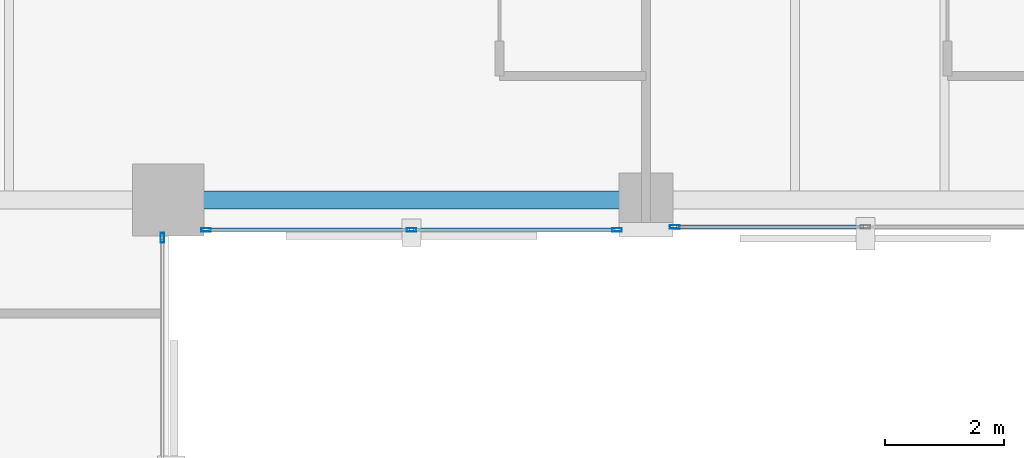
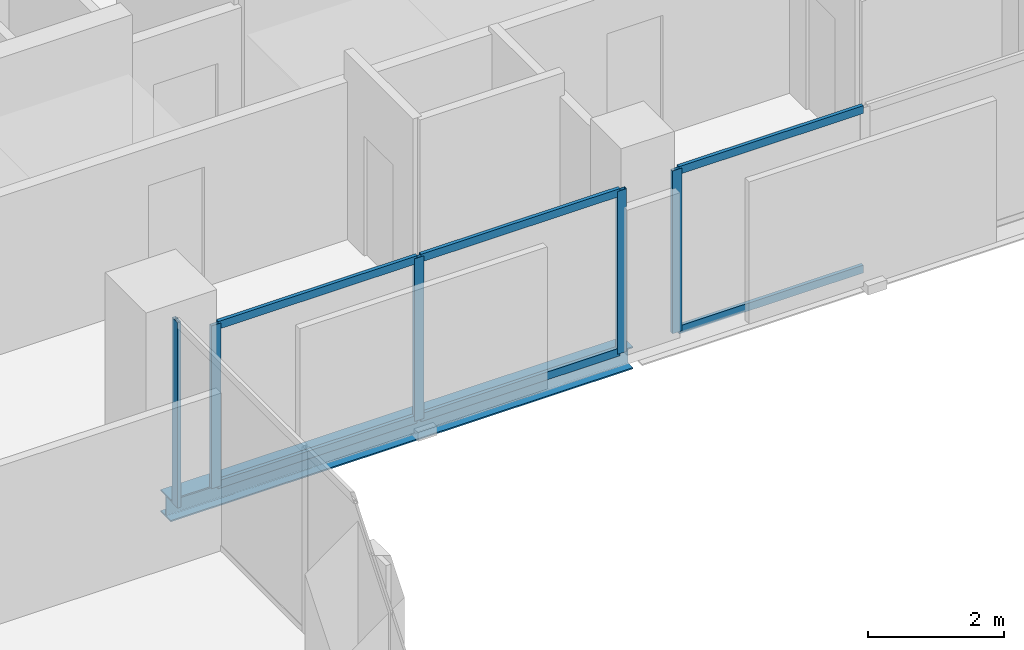
# One storey, part 13 of 35: 11 members, 1 beam, 3 elements without a shape of their own.
"""IFC4 building model written with IfcOpenShell, lengths in metres."""

from ifc_helpers import new_model, si_unit, direction, frame, origin, origin_2d, place, context, subcontext, project, spatial, hollow_rectangle, i_section, extrude, material, layer, layer_set, material_profile, profile_set, type_object, element, aggregate, save


model = new_model("IFC4")

# Units and contexts
model_context = context("Model", 3, precision=1e-05, world=origin(), true_north=direction((0.0, 1.0)))
body_context = subcontext(model_context, "Body", "Model", "MODEL_VIEW")
ifc_project = project(units=[si_unit("LENGTHUNIT", "METRE"), si_unit("AREAUNIT", "SQUARE_METRE"), si_unit("VOLUMEUNIT", "CUBIC_METRE"), si_unit("PLANEANGLEUNIT", "RADIAN"), si_unit("MASSUNIT", "GRAM", prefix="KILO")], contexts=[model_context])

# Site, building, storey
site_placement = place(None, origin())
site = spatial("IfcSite", under=ifc_project, at=site_placement, CompositionType="ELEMENT")
building_placement = place(site_placement, origin())
building = spatial("IfcBuilding", under=site, at=building_placement, Name="Catumbela Crestline Tower", CompositionType="ELEMENT")
storey_placement = place(building_placement, frame((0.0, 0.0, 90.0)))
storey = spatial("IfcBuildingStorey", under=building, at=storey_placement, Name="L22", CompositionType="ELEMENT", Elevation=90.0)

# Curtain wall, member
ifc_material_1 = material(Name="Aluminium alloy AW-6060-T66", Category="aluminium")
ifc_layer = layer(ifc_material_1, 0.18, Name="Aluminium alloy AW-6060-T66")
ifc_layer_set = layer_set([ifc_layer], Name="Aluminium alloy AW-6060-T66")
curtain_wall_type = type_object("IfcCurtainWallType", Name="CWU-Z2", PredefinedType="USERDEFINED", material=ifc_layer_set)
curtain_wall_1_placement = place(storey_placement, origin())
curtain_wall_1 = element("IfcCurtainWall", 1, at=curtain_wall_1_placement, inside=storey, type_object=curtain_wall_type, Name="L22 Unitised Curtain Wall CW-L22-E2S1", ObjectType="UNITISED", PredefinedType="USERDEFINED")
ifc_material_profile_1 = material_profile(ifc_material_1, hollow_rectangle(XDim=0.06, YDim=0.16, WallThickness=0.004, at=origin_2d()), Name="ALU 160x60x4")
ifc_profile_set_1 = profile_set([ifc_material_profile_1], Name="Aluminium alloy AW-6060-T66")
member_type_1 = type_object("IfcMemberType", Name="MUL-160X60", PredefinedType="MULLION", material=ifc_profile_set_1)
member_1_placement = place(storey_placement, frame((23.9, 23.8675, 0.0), z_axis=(0.0, 0.0, 1.0), x_axis=(-1.0, 0.0, 0.0)))
member_1 = element("IfcMember", 2, at=member_1_placement, type_object=member_type_1, Name="CWU-Z2 mullion 5", PredefinedType="MULLION", context=body_context, shape_type="SweptSolid", body=[
    extrude(hollow_rectangle(XDim=0.06, YDim=0.16, WallThickness=0.004, at=origin_2d()), origin(), (0.0, 0.0, 1.0), 3.33),
])
aggregate(curtain_wall_1, [member_1])

# Curtain wall, members
curtain_wall_2_placement = place(storey_placement, origin())
curtain_wall_2 = element("IfcCurtainWall", 3, at=curtain_wall_2_placement, inside=storey, type_object=curtain_wall_type, Name="L22 Unitised Curtain Wall CW-L22-E3S1", ObjectType="UNITISED", PredefinedType="USERDEFINED")
member_2_placement = place(storey_placement, frame((24.6325, 24.0, 0.0), z_axis=(0.0, 0.0, 1.0), x_axis=(0.0, 1.0, 0.0)))
member_2 = element("IfcMember", 4, at=member_2_placement, type_object=member_type_1, Name="CWU-Z2 mullion 1", PredefinedType="MULLION", context=body_context, shape_type="SweptSolid", body=[
    extrude(hollow_rectangle(XDim=0.06, YDim=0.16, WallThickness=0.004, at=origin_2d()), origin(), (0.0, 0.0, 1.0), 2.92),
])
member_3_placement = place(storey_placement, frame((28.075, 24.0, 0.0), z_axis=(0.0, 0.0, 1.0), x_axis=(0.0, 1.0, 0.0)))
member_3 = element("IfcMember", 5, at=member_3_placement, type_object=member_type_1, Name="CWU-Z2 mullion 2", PredefinedType="MULLION", context=body_context, shape_type="SweptSolid", body=[
    extrude(hollow_rectangle(XDim=0.06, YDim=0.16, WallThickness=0.004, at=origin_2d()), origin(), (0.0, 0.0, 1.0), 2.92),
])
member_4_placement = place(storey_placement, frame((31.5175, 24.0, 0.0), z_axis=(0.0, 0.0, 1.0), x_axis=(0.0, 1.0, 0.0)))
member_4 = element("IfcMember", 6, at=member_4_placement, type_object=member_type_1, Name="CWU-Z2 mullion 3", PredefinedType="MULLION", context=body_context, shape_type="SweptSolid", body=[
    extrude(hollow_rectangle(XDim=0.06, YDim=0.16, WallThickness=0.004, at=origin_2d()), origin(), (0.0, 0.0, 1.0), 2.92),
])

# Curtain wall, member
curtain_wall_3_placement = place(storey_placement, origin())
curtain_wall_3 = element("IfcCurtainWall", 7, at=curtain_wall_3_placement, inside=storey, type_object=curtain_wall_type, Name="L22 Unitised Curtain Wall CW-L22-E3S2", ObjectType="UNITISED", PredefinedType="USERDEFINED")
member_5_placement = place(storey_placement, frame((32.4825, 24.05, 0.0), z_axis=(0.0, 0.0, 1.0), x_axis=(0.0, 1.0, 0.0)))
member_5 = element("IfcMember", 8, at=member_5_placement, type_object=member_type_1, Name="CWU-Z2 mullion 1", PredefinedType="MULLION", context=body_context, shape_type="SweptSolid", body=[
    extrude(hollow_rectangle(XDim=0.06, YDim=0.16, WallThickness=0.004, at=origin_2d()), origin(), (0.0, 0.0, 1.0), 2.92),
])

# Beam
ifc_material_2 = material(Name="Structural steel S355J2", Category="steel")
ifc_material_profile_2 = material_profile(ifc_material_2, i_section(OverallWidth=0.3, OverallDepth=0.4, WebThickness=0.0135, FlangeThickness=0.024, FilletRadius=0.027, at=origin_2d()), Name="HEB 400")
ifc_profile_set_2 = profile_set([ifc_material_profile_2], Name="Structural steel S355J2")
beam_type = type_object("IfcBeamType", Name="BS-HEB400", PredefinedType="SPANDREL", material=ifc_profile_set_2)
beam_placement = place(storey_placement, frame((24.08, 24.5, -0.46), z_axis=(1.0, 0.0, 0.0), x_axis=(0.0, 1.0, 0.0)))
element("IfcBeam", 9, at=beam_placement, inside=storey, type_object=beam_type, Name="L22 Spandrel SP-L22-S05", PredefinedType="SPANDREL", context=body_context, shape_type="SweptSolid", body=[
    extrude(i_section(OverallWidth=0.3, OverallDepth=0.4, WebThickness=0.0135, FlangeThickness=0.024, FilletRadius=0.027, at=origin_2d()), origin(), (0.0, 0.0, 1.0), 7.84),
])

# Member
ifc_material_profile_3 = material_profile(ifc_material_1, hollow_rectangle(XDim=0.06, YDim=0.14, WallThickness=0.004, at=origin_2d()), Name="ALU 140x60x4")
ifc_profile_set_3 = profile_set([ifc_material_profile_3], Name="Aluminium alloy AW-6060-T66")
member_type_2 = type_object("IfcMemberType", Name="TRN-140X60", PredefinedType="USERDEFINED", material=ifc_profile_set_3)
member_6_placement = place(storey_placement, frame((24.665, 24.0, 0.03), z_axis=(1.0, 0.0, 0.0), x_axis=(0.0, 1.0, 0.0)))
member_6 = element("IfcMember", 10, at=member_6_placement, type_object=member_type_2, Name="CWU-Z2 transom 1.1", ObjectType="TRANSOM", PredefinedType="USERDEFINED", context=body_context, shape_type="SweptSolid", body=[
    extrude(hollow_rectangle(XDim=0.06, YDim=0.14, WallThickness=0.004, at=origin_2d()), origin(), (0.0, 0.0, 1.0), 3.3775),
])

member_7_placement = place(storey_placement, frame((24.665, 24.0, 2.89), z_axis=(1.0, 0.0, 0.0), x_axis=(0.0, 1.0, 0.0)))
member_7 = element("IfcMember", 11, at=member_7_placement, type_object=member_type_2, Name="CWU-Z2 transom 1.2", ObjectType="TRANSOM", PredefinedType="USERDEFINED", context=body_context, shape_type="SweptSolid", body=[
    extrude(hollow_rectangle(XDim=0.06, YDim=0.14, WallThickness=0.004, at=origin_2d()), origin(), (0.0, 0.0, 1.0), 3.3775),
])

member_8_placement = place(storey_placement, frame((28.1075, 24.0, 0.03), z_axis=(1.0, 0.0, 0.0), x_axis=(0.0, 1.0, 0.0)))
member_8 = element("IfcMember", 12, at=member_8_placement, type_object=member_type_2, Name="CWU-Z2 transom 2.1", ObjectType="TRANSOM", PredefinedType="USERDEFINED", context=body_context, shape_type="SweptSolid", body=[
    extrude(hollow_rectangle(XDim=0.06, YDim=0.14, WallThickness=0.004, at=origin_2d()), origin(), (0.0, 0.0, 1.0), 3.3775),
])

member_9_placement = place(storey_placement, frame((28.1075, 24.0, 2.89), z_axis=(1.0, 0.0, 0.0), x_axis=(0.0, 1.0, 0.0)))
member_9 = element("IfcMember", 13, at=member_9_placement, type_object=member_type_2, Name="CWU-Z2 transom 2.2", ObjectType="TRANSOM", PredefinedType="USERDEFINED", context=body_context, shape_type="SweptSolid", body=[
    extrude(hollow_rectangle(XDim=0.06, YDim=0.14, WallThickness=0.004, at=origin_2d()), origin(), (0.0, 0.0, 1.0), 3.3775),
])

aggregate(curtain_wall_2, [member_2, member_3, member_4, member_6, member_7, member_8, member_9])

member_10_placement = place(storey_placement, frame((32.515, 24.05, 0.03), z_axis=(1.0, 0.0, 0.0), x_axis=(0.0, 1.0, 0.0)))
member_10 = element("IfcMember", 14, at=member_10_placement, type_object=member_type_2, Name="CWU-Z2 transom 1.1", ObjectType="TRANSOM", PredefinedType="USERDEFINED", context=body_context, shape_type="SweptSolid", body=[
    extrude(hollow_rectangle(XDim=0.06, YDim=0.14, WallThickness=0.004, at=origin_2d()), origin(), (0.0, 0.0, 1.0), 3.1275),
])

member_11_placement = place(storey_placement, frame((32.515, 24.05, 2.89), z_axis=(1.0, 0.0, 0.0), x_axis=(0.0, 1.0, 0.0)))
member_11 = element("IfcMember", 15, at=member_11_placement, type_object=member_type_2, Name="CWU-Z2 transom 1.2", ObjectType="TRANSOM", PredefinedType="USERDEFINED", context=body_context, shape_type="SweptSolid", body=[
    extrude(hollow_rectangle(XDim=0.06, YDim=0.14, WallThickness=0.004, at=origin_2d()), origin(), (0.0, 0.0, 1.0), 3.1275),
])

aggregate(curtain_wall_3, [member_5, member_10, member_11])

save(model, "model.ifc")
